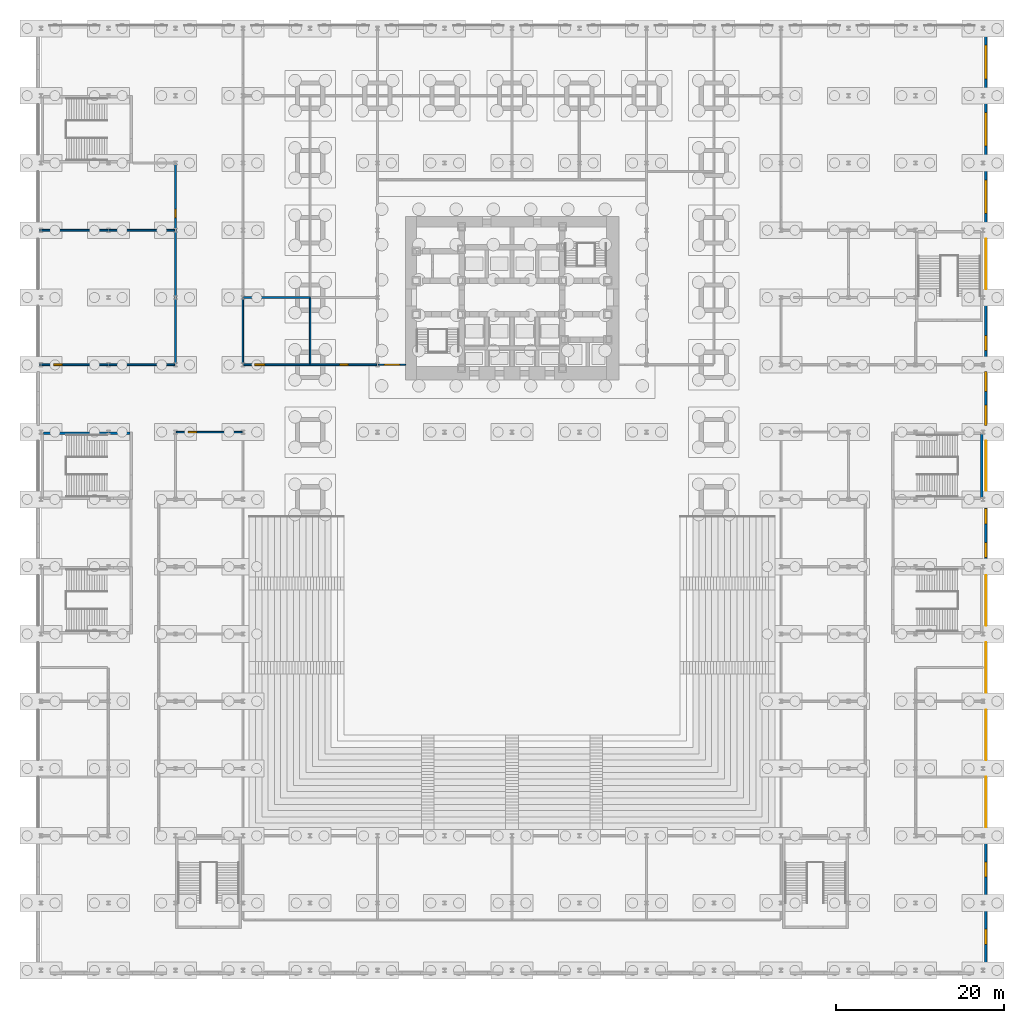
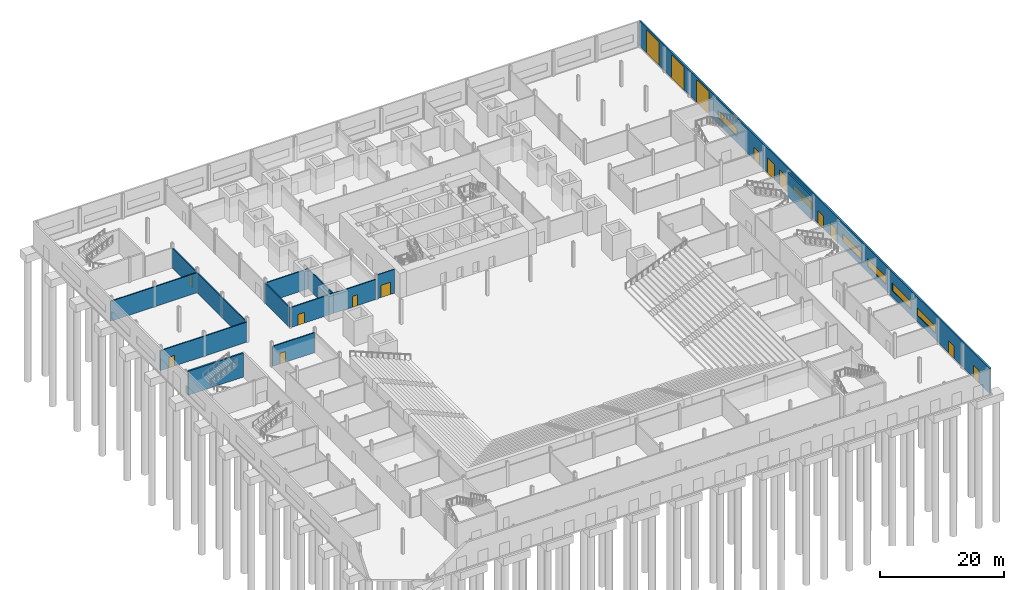
# One storey, part 15 of 24: 16 doors, 13 walls, 6 windows, 22 openings.
"""IFC4 building model written with IfcOpenShell, lengths in metres."""

from ifc_helpers import new_model, si_unit, direction, frame, frame_2d, origin, place, context, subcontext, project, spatial, rectangle, extrude, material, layer, layer_set, type_object, element, fill, save


model = new_model("IFC4")

# Units and contexts
model_context = context("Model", 3, precision=1e-05, world=origin(), true_north=direction((0.0, 1.0)))
body_context = subcontext(model_context, "Body", "Model", "MODEL_VIEW")
ifc_project = project(units=[si_unit("LENGTHUNIT", "METRE"), si_unit("AREAUNIT", "SQUARE_METRE"), si_unit("VOLUMEUNIT", "CUBIC_METRE"), si_unit("PLANEANGLEUNIT", "RADIAN"), si_unit("MASSUNIT", "GRAM", prefix="KILO")], contexts=[model_context])

# Site, building, storey
site_placement = place(None, origin())
site = spatial("IfcSite", under=ifc_project, at=site_placement, CompositionType="ELEMENT")
building_placement = place(site_placement, origin())
building = spatial("IfcBuilding", under=site, at=building_placement, Name="Daluyong Arena Tower", CompositionType="ELEMENT")
storey_placement = place(building_placement, origin())
storey = spatial("IfcBuildingStorey", under=building, at=storey_placement, Name="L00", CompositionType="ELEMENT", Elevation=0.0)

# Wall, opening, door
ifc_material_1 = material(Name="Concrete block partition, fire rated", Category="concrete")
ifc_layer_1 = layer(ifc_material_1, 0.199951171875)
ifc_layer_set_1 = layer_set([ifc_layer_1], Name="Concrete block partition, fire rated")
wall_type_1 = type_object("IfcWallType", Name="Fire-rated partition 200", PredefinedType="PARTITIONING", material=ifc_layer_set_1)
wall_1_placement = place(storey_placement, frame((24.10009765625, 72.0, 0.0), z_axis=(0.0, 0.0, 1.0), x_axis=(1.0, 0.0, 0.0)))
wall_1 = element("IfcWall", 1, at=wall_1_placement, inside=storey, type_object=wall_type_1, Name="fire-rated partition at L00", PredefinedType="PARTITIONING", context=body_context, shape_type="SweptSolid", body=[
    extrude(rectangle(XDim=7.89990234375, YDim=0.199951171875, at=frame_2d((3.949951171875, 0.0))), origin(), (0.0, 0.0, 1.0), 3.927734375),
])
opening_1_placement = place(wall_1_placement, frame((1.300048828125, 0.0, 0.0)))
opening_1 = element("IfcOpeningElement", 2, at=opening_1_placement, cuts=wall_1, Name="Opening 00041", PredefinedType="OPENING", context=body_context, shape_type="SweptSolid", body=[
    extrude(rectangle(XDim=1.199951171875, YDim=2.10009765625, at=frame_2d((0.60009765625, 1.050048828125))), frame((0.0, 0.10986328125, 0.0), z_axis=(0.0, -1.0, 0.0), x_axis=(1.0, 0.0, 0.0)), (0.0, 0.0, 1.0), 0.219970703125),
])
ifc_material_2 = material(Name="Steel door, fire rated", Category="steel")
door_type_1 = type_object("IfcDoorType", Name="Fire command centre door 1200", OperationType="SINGLE_SWING_LEFT", PredefinedType="DOOR", material=ifc_material_2)
door_1_placement = place(opening_1_placement, origin())
door_1 = element("IfcDoor", 3, at=door_1_placement, inside=storey, type_object=door_type_1, Name="fire command centre door 00041", OperationType="SINGLE_SWING_LEFT", OverallHeight=2.10009765625, OverallWidth=1.199951171875, PredefinedType="DOOR", context=body_context, shape_type="SweptSolid", body=[
    extrude(rectangle(XDim=1.199951171875, YDim=2.10009765625, at=frame_2d((0.60009765625, 1.050048828125))), frame((0.0, 0.099609375, 0.0), z_axis=(0.0, -1.0, 0.0), x_axis=(1.0, 0.0, 0.0)), (0.0, 0.0, 1.0), 0.199462890625),
])
fill(opening_1, door_1)

# Walls
for number, where, z_axis, x_axis, name in (
    (4, (24.10009765625, 80.0, 0.0), (0.0, 0.0, 1.0), (1.0, 0.0, 0.0), "fire-rated partition at L00"),
    (5, (24.0, 72.10009765625, 0.0), (0.0, 0.0, 1.0), (0.0, 1.0, 0.0), "fire-rated partition at L00"),
    (6, (32.0, 72.10009765625, 0.0), (0.0, 0.0, 1.0), (0.0, 1.0, 0.0), "fire-rated partition at L00"),
):
    element("IfcWall", number, at=place(storey_placement, frame(where, z_axis=z_axis, x_axis=x_axis)), inside=storey, type_object=wall_type_1, Name=name, PredefinedType="PARTITIONING", context=body_context, shape_type="SweptSolid", body=[
        extrude(rectangle(XDim=7.89990234375, YDim=0.199951171875, at=frame_2d((3.949951171875, 0.0))), origin(), (0.0, 0.0, 1.0), 3.927734375),
    ])

# Wall, opening, door
ifc_material_3 = material(Name="Glazed aluminium partition", Category="aluminium")
ifc_layer_2 = layer(ifc_material_3, 0.14990234375)
ifc_layer_set_2 = layer_set([ifc_layer_2], Name="Glazed aluminium partition")
wall_type_2 = type_object("IfcWallType", Name="Glazed partition 150", PredefinedType="PARTITIONING", material=ifc_layer_set_2)
wall_2_placement = place(storey_placement, frame((40.10009765625, 72.0, 0.0), z_axis=(0.0, 0.0, 1.0), x_axis=(1.0, 0.0, 0.0)))
wall_2 = element("IfcWall", 7, at=wall_2_placement, inside=storey, type_object=wall_type_2, Name="tower lobby entrance screen at L00", PredefinedType="PARTITIONING", context=body_context, shape_type="SweptSolid", body=[
    extrude(rectangle(XDim=3.260009765625, YDim=0.14990234375, at=frame_2d((1.6298828125, 0.0))), origin(), (0.0, 0.0, 1.0), 4.699951171875),
])
opening_2_placement = place(wall_2_placement, frame((0.72998046875, 0.0, 0.0)))
opening_2 = element("IfcOpeningElement", 8, at=opening_2_placement, cuts=wall_2, Name="Opening 00079", PredefinedType="OPENING", context=body_context, shape_type="SweptSolid", body=[
    extrude(rectangle(XDim=1.800048828125, YDim=2.39990234375, at=frame_2d((0.89990234375, 1.199951171875))), frame((0.0, 0.0849609375, 0.0), z_axis=(0.0, -1.0, 0.0), x_axis=(1.0, 0.0, 0.0)), (0.0, 0.0, 1.0), 0.169921875),
])
ifc_material_4 = material(Name="Timber door", Category="wood")
door_type_2 = type_object("IfcDoorType", Name="Assembly double door 1800", OperationType="DOUBLE_DOOR_DOUBLE_SWING", PredefinedType="DOOR", material=ifc_material_4)
door_2_placement = place(opening_2_placement, origin())
door_2 = element("IfcDoor", 9, at=door_2_placement, inside=storey, type_object=door_type_2, Name="tower lobby entrance door 00079", OperationType="DOUBLE_DOOR_DOUBLE_SWING", OverallHeight=2.39990234375, OverallWidth=1.800048828125, PredefinedType="DOOR", context=body_context, shape_type="SweptSolid", body=[
    extrude(rectangle(XDim=1.800048828125, YDim=2.39990234375, at=frame_2d((0.89990234375, 1.199951171875))), frame((0.0, 0.07470703125, 0.0), z_axis=(0.0, -1.0, 0.0), x_axis=(1.0, 0.0, 0.0)), (0.0, 0.0, 1.0), 0.1494140625),
])
fill(opening_2, door_2)

ifc_material_5 = material(Name="Concrete block partition", Category="concrete")
ifc_layer_3 = layer(ifc_material_5, 0.199951171875)
ifc_layer_set_3 = layer_set([ifc_layer_3], Name="Concrete block partition")
wall_type_3 = type_object("IfcWallType", Name="Partition 200", PredefinedType="PARTITIONING", material=ifc_layer_set_3)
wall_3_placement = place(storey_placement, frame((16.10009765625, 64.0, 0.0), z_axis=(0.0, 0.0, 1.0), x_axis=(1.0, 0.0, 0.0)))
wall_3 = element("IfcWall", 10, at=wall_3_placement, inside=storey, type_object=wall_type_3, Name="partition at L00", PredefinedType="PARTITIONING", context=body_context, shape_type="SweptSolid", body=[
    extrude(rectangle(XDim=7.7998046875, YDim=0.199951171875, at=frame_2d((3.89990234375, 0.0))), origin(), (0.0, 0.0, 1.0), 3.927734375),
])
opening_3_placement = place(wall_3_placement, frame((1.39990234375, 0.0, 0.0)))
opening_3 = element("IfcOpeningElement", 11, at=opening_3_placement, cuts=wall_3, Name="Opening 00042", PredefinedType="OPENING", context=body_context, shape_type="SweptSolid", body=[
    extrude(rectangle(XDim=1.0, YDim=2.10009765625, at=frame_2d((0.5, 1.050048828125))), frame((0.0, 0.10986328125, 0.0), z_axis=(0.0, -1.0, 0.0), x_axis=(1.0, 0.0, 0.0)), (0.0, 0.0, 1.0), 0.219970703125),
])
ifc_material_6 = material(Name="Timber door", Category="wood")
door_type_3 = type_object("IfcDoorType", Name="Room door 1000", OperationType="SINGLE_SWING_LEFT", PredefinedType="DOOR", material=ifc_material_6)
door_3_placement = place(opening_3_placement, origin())
door_3 = element("IfcDoor", 12, at=door_3_placement, inside=storey, type_object=door_type_3, Name="ticket office door 00042", OperationType="SINGLE_SWING_LEFT", OverallHeight=2.10009765625, OverallWidth=1.0, PredefinedType="DOOR", context=body_context, shape_type="SweptSolid", body=[
    extrude(rectangle(XDim=1.0, YDim=2.10009765625, at=frame_2d((0.5, 1.050048828125))), frame((0.0, 0.099609375, 0.0), z_axis=(0.0, -1.0, 0.0), x_axis=(1.0, 0.0, 0.0)), (0.0, 0.0, 1.0), 0.199462890625),
])
fill(opening_3, door_3)

wall_4_placement = place(storey_placement, frame((-0.14990234375, 72.0, 0.0), z_axis=(0.0, 0.0, 1.0), x_axis=(1.0, 0.0, 0.0)))
wall_4 = element("IfcWall", 13, at=wall_4_placement, inside=storey, type_object=wall_type_3, Name="partition at L00", PredefinedType="PARTITIONING", context=body_context, shape_type="SweptSolid", body=[
    extrude(rectangle(XDim=16.0498046875, YDim=0.199951171875, at=frame_2d((8.02490234375, 0.0))), origin(), (0.0, 0.0, 1.0), 3.927734375),
])
opening_4_placement = place(wall_4_placement, frame((1.64990234375, 0.0, 0.0)))
opening_4 = element("IfcOpeningElement", 14, at=opening_4_placement, cuts=wall_4, Name="Opening 00043", PredefinedType="OPENING", context=body_context, shape_type="SweptSolid", body=[
    extrude(rectangle(XDim=1.0, YDim=2.10009765625, at=frame_2d((0.5, 1.050048828125))), frame((0.0, 0.10986328125, 0.0), z_axis=(0.0, -1.0, 0.0), x_axis=(1.0, 0.0, 0.0)), (0.0, 0.0, 1.0), 0.219970703125),
])
door_4_placement = place(opening_4_placement, origin())
door_4 = element("IfcDoor", 15, at=door_4_placement, inside=storey, type_object=door_type_3, Name="retail unit door 00043", OperationType="SINGLE_SWING_LEFT", OverallHeight=2.10009765625, OverallWidth=1.0, PredefinedType="DOOR", context=body_context, shape_type="SweptSolid", body=[
    extrude(rectangle(XDim=1.0, YDim=2.10009765625, at=frame_2d((0.5, 1.050048828125))), frame((0.0, 0.099609375, 0.0), z_axis=(0.0, -1.0, 0.0), x_axis=(1.0, 0.0, 0.0)), (0.0, 0.0, 1.0), 0.199462890625),
])
fill(opening_4, door_4)

wall_5_placement = place(storey_placement, frame((32.0, 72.0, 0.0), z_axis=(0.0, 0.0, 1.0), x_axis=(1.0, 0.0, 0.0)))
wall_5 = element("IfcWall", 16, at=wall_5_placement, inside=storey, type_object=wall_type_3, Name="partition at L00", PredefinedType="PARTITIONING", context=body_context, shape_type="SweptSolid", body=[
    extrude(rectangle(XDim=7.89990234375, YDim=0.199951171875, at=frame_2d((3.949951171875, 0.0))), origin(), (0.0, 0.0, 1.0), 3.927734375),
])
opening_5_placement = place(wall_5_placement, frame((3.5, 0.0, 0.0)))
opening_5 = element("IfcOpeningElement", 17, at=opening_5_placement, cuts=wall_5, Name="Opening 00050", PredefinedType="OPENING", context=body_context, shape_type="SweptSolid", body=[
    extrude(rectangle(XDim=1.0, YDim=2.10009765625, at=frame_2d((0.5, 1.050048828125))), frame((0.0, 0.10986328125, 0.0), z_axis=(0.0, -1.0, 0.0), x_axis=(1.0, 0.0, 0.0)), (0.0, 0.0, 1.0), 0.219970703125),
])
door_5_placement = place(opening_5_placement, origin())
door_5 = element("IfcDoor", 18, at=door_5_placement, inside=storey, type_object=door_type_3, Name="arena box office door 00050", OperationType="SINGLE_SWING_LEFT", OverallHeight=2.10009765625, OverallWidth=1.0, PredefinedType="DOOR", context=body_context, shape_type="SweptSolid", body=[
    extrude(rectangle(XDim=1.0, YDim=2.10009765625, at=frame_2d((0.5, 1.050048828125))), frame((0.0, 0.099609375, 0.0), z_axis=(0.0, -1.0, 0.0), x_axis=(1.0, 0.0, 0.0)), (0.0, 0.0, 1.0), 0.199462890625),
])
fill(opening_5, door_5)

# Wall
wall_6_placement = place(storey_placement, frame((-0.14990234375, 88.0, 0.0), z_axis=(0.0, 0.0, 1.0), x_axis=(1.0, 0.0, 0.0)))
element("IfcWall", 19, at=wall_6_placement, inside=storey, type_object=wall_type_3, Name="partition at L00", PredefinedType="PARTITIONING", context=body_context, shape_type="SweptSolid", body=[
    extrude(rectangle(XDim=16.0498046875, YDim=0.199951171875, at=frame_2d((8.02490234375, 0.0))), origin(), (0.0, 0.0, 1.0), 3.927734375),
])

# Wall, opening, door
wall_7_placement = place(storey_placement, frame((16.0, 72.10009765625, 0.0), z_axis=(0.0, 0.0, 1.0), x_axis=(0.0, 1.0, 0.0)))
wall_7 = element("IfcWall", 20, at=wall_7_placement, inside=storey, type_object=wall_type_3, Name="partition at L00", PredefinedType="PARTITIONING", context=body_context, shape_type="SweptSolid", body=[
    extrude(rectangle(XDim=23.7998046875, YDim=0.199951171875, at=frame_2d((11.89990234375, 0.0))), origin(), (0.0, 0.0, 1.0), 3.927734375),
])
opening_6_placement = place(wall_7_placement, frame((17.39990234375, 0.0, 0.0)))
opening_6 = element("IfcOpeningElement", 21, at=opening_6_placement, cuts=wall_7, Name="Opening 00044", PredefinedType="OPENING", context=body_context, shape_type="SweptSolid", body=[
    extrude(rectangle(XDim=1.0, YDim=2.10009765625, at=frame_2d((0.5, 1.050048828125))), frame((0.0, 0.10986328125, 0.0), z_axis=(0.0, -1.0, 0.0), x_axis=(1.0, 0.0, 0.0)), (0.0, 0.0, 1.0), 0.219970703125),
])
door_6_placement = place(opening_6_placement, origin())
door_6 = element("IfcDoor", 22, at=door_6_placement, inside=storey, type_object=door_type_3, Name="retail unit door 00044", OperationType="SINGLE_SWING_LEFT", OverallHeight=2.10009765625, OverallWidth=1.0, PredefinedType="DOOR", context=body_context, shape_type="SweptSolid", body=[
    extrude(rectangle(XDim=1.0, YDim=2.10009765625, at=frame_2d((0.5, 1.050048828125))), frame((0.0, 0.099609375, 0.0), z_axis=(0.0, -1.0, 0.0), x_axis=(1.0, 0.0, 0.0)), (0.0, 0.0, 1.0), 0.199462890625),
])
fill(opening_6, door_6)

# Wall, openings, doors, windows
ifc_material_7 = material(Name="Precast concrete fc' 45 MPa", Category="concrete")
ifc_layer_4 = layer(ifc_material_7, 0.300048828125)
ifc_layer_set_4 = layer_set([ifc_layer_4], Name="Precast concrete fc' 45 MPa")
wall_type_4 = type_object("IfcWallType", Name="Podium precast base wall 300", PredefinedType="SOLIDWALL", material=ifc_layer_set_4)
wall_8_placement = place(storey_placement, frame((112.35009765625, -0.35009765625, 0.0), z_axis=(0.0, 0.0, 1.0), x_axis=(0.0, 1.0, 0.0)))
wall_8 = element("IfcWall", 23, at=wall_8_placement, inside=storey, type_object=wall_type_4, Name="podium base wall E L00", PredefinedType="SOLIDWALL", context=body_context, shape_type="SweptSolid", body=[
    extrude(rectangle(XDim=112.7001953125, YDim=0.300048828125, at=frame_2d((56.35009765625, 0.0))), origin(), (0.0, 0.0, 1.0), 4.89990234375),
])
opening_7_placement = place(wall_8_placement, frame((3.449951171875, 0.0, 0.0)))
opening_7 = element("IfcOpeningElement", 24, at=opening_7_placement, cuts=wall_8, Name="Opening E29", PredefinedType="OPENING", context=body_context, shape_type="SweptSolid", body=[
    extrude(rectangle(XDim=1.800048828125, YDim=2.39990234375, at=frame_2d((0.89990234375, 1.199951171875))), frame((0.0, 0.159912109375, 0.0), z_axis=(0.0, -1.0, 0.0), x_axis=(1.0, 0.0, 0.0)), (0.0, 0.0, 1.0), 0.320068359375),
])
opening_8_placement = place(wall_8_placement, frame((11.449951171875, 0.0, 0.0)))
opening_8 = element("IfcOpeningElement", 25, at=opening_8_placement, cuts=wall_8, Name="Opening E30", PredefinedType="OPENING", context=body_context, shape_type="SweptSolid", body=[
    extrude(rectangle(XDim=1.800048828125, YDim=2.39990234375, at=frame_2d((0.89990234375, 1.199951171875))), frame((0.0, 0.159912109375, 0.0), z_axis=(0.0, -1.0, 0.0), x_axis=(1.0, 0.0, 0.0)), (0.0, 0.0, 1.0), 0.320068359375),
])
opening_9_placement = place(wall_8_placement, frame((17.35009765625, 0.0, 1.199951171875)))
opening_9 = element("IfcOpeningElement", 26, at=opening_9_placement, cuts=wall_8, Name="Opening W1", PredefinedType="OPENING", context=body_context, shape_type="SweptSolid", body=[
    extrude(rectangle(XDim=6.0, YDim=1.5, at=frame_2d((3.0, 0.75))), frame((0.0, 0.159912109375, 0.0), z_axis=(0.0, -1.0, 0.0), x_axis=(1.0, 0.0, 0.0)), (0.0, 0.0, 1.0), 0.320068359375),
])
opening_10_placement = place(wall_8_placement, frame((25.35009765625, 0.0, 1.199951171875)))
opening_10 = element("IfcOpeningElement", 27, at=opening_10_placement, cuts=wall_8, Name="Opening W1", PredefinedType="OPENING", context=body_context, shape_type="SweptSolid", body=[
    extrude(rectangle(XDim=6.0, YDim=1.5, at=frame_2d((3.0, 0.75))), frame((0.0, 0.159912109375, 0.0), z_axis=(0.0, -1.0, 0.0), x_axis=(1.0, 0.0, 0.0)), (0.0, 0.0, 1.0), 0.320068359375),
])
opening_11_placement = place(wall_8_placement, frame((33.35009765625, 0.0, 1.199951171875)))
opening_11 = element("IfcOpeningElement", 28, at=opening_11_placement, cuts=wall_8, Name="Opening W1", PredefinedType="OPENING", context=body_context, shape_type="SweptSolid", body=[
    extrude(rectangle(XDim=6.0, YDim=1.5, at=frame_2d((3.0, 0.75))), frame((0.0, 0.159912109375, 0.0), z_axis=(0.0, -1.0, 0.0), x_axis=(1.0, 0.0, 0.0)), (0.0, 0.0, 1.0), 0.320068359375),
])
opening_12_placement = place(wall_8_placement, frame((41.35009765625, 0.0, 1.199951171875)))
opening_12 = element("IfcOpeningElement", 29, at=opening_12_placement, cuts=wall_8, Name="Opening W1", PredefinedType="OPENING", context=body_context, shape_type="SweptSolid", body=[
    extrude(rectangle(XDim=6.0, YDim=1.5, at=frame_2d((3.0, 0.75))), frame((0.0, 0.159912109375, 0.0), z_axis=(0.0, -1.0, 0.0), x_axis=(1.0, 0.0, 0.0)), (0.0, 0.0, 1.0), 0.320068359375),
])
opening_13_placement = place(wall_8_placement, frame((49.449951171875, 0.0, 0.0)))
opening_13 = element("IfcOpeningElement", 30, at=opening_13_placement, cuts=wall_8, Name="Opening E31", PredefinedType="OPENING", context=body_context, shape_type="SweptSolid", body=[
    extrude(rectangle(XDim=1.800048828125, YDim=2.39990234375, at=frame_2d((0.89990234375, 1.199951171875))), frame((0.0, 0.159912109375, 0.0), z_axis=(0.0, -1.0, 0.0), x_axis=(1.0, 0.0, 0.0)), (0.0, 0.0, 1.0), 0.320068359375),
])
opening_14_placement = place(wall_8_placement, frame((53.449951171875, 0.0, 0.0)))
opening_14 = element("IfcOpeningElement", 31, at=opening_14_placement, cuts=wall_8, Name="Opening E32", PredefinedType="OPENING", context=body_context, shape_type="SweptSolid", body=[
    extrude(rectangle(XDim=1.800048828125, YDim=2.39990234375, at=frame_2d((0.89990234375, 1.199951171875))), frame((0.0, 0.159912109375, 0.0), z_axis=(0.0, -1.0, 0.0), x_axis=(1.0, 0.0, 0.0)), (0.0, 0.0, 1.0), 0.320068359375),
])
opening_15_placement = place(wall_8_placement, frame((57.35009765625, 0.0, 1.199951171875)))
opening_15 = element("IfcOpeningElement", 32, at=opening_15_placement, cuts=wall_8, Name="Opening W1", PredefinedType="OPENING", context=body_context, shape_type="SweptSolid", body=[
    extrude(rectangle(XDim=6.0, YDim=1.5, at=frame_2d((3.0, 0.75))), frame((0.0, 0.159912109375, 0.0), z_axis=(0.0, -1.0, 0.0), x_axis=(1.0, 0.0, 0.0)), (0.0, 0.0, 1.0), 0.320068359375),
])
opening_16_placement = place(wall_8_placement, frame((65.14990234375, 0.0, 0.0)))
opening_16 = element("IfcOpeningElement", 33, at=opening_16_placement, cuts=wall_8, Name="Opening E33", PredefinedType="OPENING", context=body_context, shape_type="SweptSolid", body=[
    extrude(rectangle(XDim=2.39990234375, YDim=3.0, at=frame_2d((1.199951171875, 1.5))), frame((0.0, 0.159912109375, 0.0), z_axis=(0.0, -1.0, 0.0), x_axis=(1.0, 0.0, 0.0)), (0.0, 0.0, 1.0), 0.320068359375),
])
opening_17_placement = place(wall_8_placement, frame((69.14990234375, 0.0, 0.0)))
opening_17 = element("IfcOpeningElement", 34, at=opening_17_placement, cuts=wall_8, Name="Opening E34", PredefinedType="OPENING", context=body_context, shape_type="SweptSolid", body=[
    extrude(rectangle(XDim=2.39990234375, YDim=3.0, at=frame_2d((1.199951171875, 1.5))), frame((0.0, 0.159912109375, 0.0), z_axis=(0.0, -1.0, 0.0), x_axis=(1.0, 0.0, 0.0)), (0.0, 0.0, 1.0), 0.320068359375),
])
opening_18_placement = place(wall_8_placement, frame((74.050048828125, 0.0, 0.0)))
opening_18 = element("IfcOpeningElement", 35, at=opening_18_placement, cuts=wall_8, Name="Opening E35", PredefinedType="OPENING", context=body_context, shape_type="SweptSolid", body=[
    extrude(rectangle(XDim=1.800048828125, YDim=2.39990234375, at=frame_2d((0.89990234375, 1.199951171875))), frame((0.0, 0.159912109375, 0.0), z_axis=(0.0, -1.0, 0.0), x_axis=(1.0, 0.0, 0.0)), (0.0, 0.0, 1.0), 0.320068359375),
])
opening_19_placement = place(wall_8_placement, frame((81.35009765625, 0.0, 1.199951171875)))
opening_19 = element("IfcOpeningElement", 36, at=opening_19_placement, cuts=wall_8, Name="Opening W1", PredefinedType="OPENING", context=body_context, shape_type="SweptSolid", body=[
    extrude(rectangle(XDim=6.0, YDim=1.5, at=frame_2d((3.0, 0.75))), frame((0.0, 0.159912109375, 0.0), z_axis=(0.0, -1.0, 0.0), x_axis=(1.0, 0.0, 0.0)), (0.0, 0.0, 1.0), 0.320068359375),
])
opening_20_placement = place(wall_8_placement, frame((90.35009765625, 0.0, 0.0)))
opening_20 = element("IfcOpeningElement", 37, at=opening_20_placement, cuts=wall_8, Name="Opening E36", PredefinedType="OPENING", context=body_context, shape_type="SweptSolid", body=[
    extrude(rectangle(XDim=4.0, YDim=4.5, at=frame_2d((2.0, 2.25))), frame((0.0, 0.159912109375, 0.0), z_axis=(0.0, -1.0, 0.0), x_axis=(1.0, 0.0, 0.0)), (0.0, 0.0, 1.0), 0.320068359375),
])
opening_21_placement = place(wall_8_placement, frame((98.35009765625, 0.0, 0.0)))
opening_21 = element("IfcOpeningElement", 38, at=opening_21_placement, cuts=wall_8, Name="Opening E37", PredefinedType="OPENING", context=body_context, shape_type="SweptSolid", body=[
    extrude(rectangle(XDim=4.0, YDim=4.5, at=frame_2d((2.0, 2.25))), frame((0.0, 0.159912109375, 0.0), z_axis=(0.0, -1.0, 0.0), x_axis=(1.0, 0.0, 0.0)), (0.0, 0.0, 1.0), 0.320068359375),
])
opening_22_placement = place(wall_8_placement, frame((106.35009765625, 0.0, 0.0)))
opening_22 = element("IfcOpeningElement", 39, at=opening_22_placement, cuts=wall_8, Name="Opening E38", PredefinedType="OPENING", context=body_context, shape_type="SweptSolid", body=[
    extrude(rectangle(XDim=4.0, YDim=4.5, at=frame_2d((2.0, 2.25))), frame((0.0, 0.159912109375, 0.0), z_axis=(0.0, -1.0, 0.0), x_axis=(1.0, 0.0, 0.0)), (0.0, 0.0, 1.0), 0.320068359375),
])
ifc_material_8 = material(Name="Glazed aluminium door", Category="aluminium")
door_type_4 = type_object("IfcDoorType", Name="Entrance door 2400", OperationType="DOUBLE_DOOR_DOUBLE_SWING", PredefinedType="DOOR", material=ifc_material_8)
door_7_placement = place(opening_16_placement, frame((2.39990234375, 0.0, 0.0), z_axis=(0.0, 0.0, 1.0), x_axis=(-1.0, 0.0, 0.0)))
door_7 = element("IfcDoor", 40, at=door_7_placement, inside=storey, type_object=door_type_4, Name="entrance door E33", OperationType="DOUBLE_DOOR_DOUBLE_SWING", OverallHeight=3.0, OverallWidth=2.39990234375, PredefinedType="DOOR", context=body_context, shape_type="SweptSolid", body=[
    extrude(rectangle(XDim=2.39990234375, YDim=3.0, at=frame_2d((1.199951171875, 1.5))), frame((0.0, 0.14990234375, 0.0), z_axis=(0.0, -1.0, 0.0), x_axis=(1.0, 0.0, 0.0)), (0.0, 0.0, 1.0), 0.299560546875),
])
fill(opening_16, door_7)
door_8_placement = place(opening_17_placement, frame((2.39990234375, 0.0, 0.0), z_axis=(0.0, 0.0, 1.0), x_axis=(-1.0, 0.0, 0.0)))
door_8 = element("IfcDoor", 41, at=door_8_placement, inside=storey, type_object=door_type_4, Name="entrance door E34", OperationType="DOUBLE_DOOR_DOUBLE_SWING", OverallHeight=3.0, OverallWidth=2.39990234375, PredefinedType="DOOR", context=body_context, shape_type="SweptSolid", body=[
    extrude(rectangle(XDim=2.39990234375, YDim=3.0, at=frame_2d((1.199951171875, 1.5))), frame((0.0, 0.14990234375, 0.0), z_axis=(0.0, -1.0, 0.0), x_axis=(1.0, 0.0, 0.0)), (0.0, 0.0, 1.0), 0.299560546875),
])
fill(opening_17, door_8)
ifc_material_9 = material(Name="Steel door", Category="steel")
door_type_5 = type_object("IfcDoorType", Name="Exit door 1800", OperationType="DOUBLE_DOOR_SINGLE_SWING", PredefinedType="DOOR", material=ifc_material_9)
door_9_placement = place(opening_7_placement, frame((1.800048828125, 0.0, 0.0), z_axis=(0.0, 0.0, 1.0), x_axis=(-1.0, 0.0, 0.0)))
door_9 = element("IfcDoor", 42, at=door_9_placement, inside=storey, type_object=door_type_5, Name="exit door E29", OperationType="DOUBLE_DOOR_SINGLE_SWING", OverallHeight=2.39990234375, OverallWidth=1.800048828125, PredefinedType="DOOR", context=body_context, shape_type="SweptSolid", body=[
    extrude(rectangle(XDim=1.800048828125, YDim=2.39990234375, at=frame_2d((0.89990234375, 1.199951171875))), frame((0.0, 0.14990234375, 0.0), z_axis=(0.0, -1.0, 0.0), x_axis=(1.0, 0.0, 0.0)), (0.0, 0.0, 1.0), 0.299560546875),
])
fill(opening_7, door_9)
door_10_placement = place(opening_8_placement, frame((1.800048828125, 0.0, 0.0), z_axis=(0.0, 0.0, 1.0), x_axis=(-1.0, 0.0, 0.0)))
door_10 = element("IfcDoor", 43, at=door_10_placement, inside=storey, type_object=door_type_5, Name="exit door E30", OperationType="DOUBLE_DOOR_SINGLE_SWING", OverallHeight=2.39990234375, OverallWidth=1.800048828125, PredefinedType="DOOR", context=body_context, shape_type="SweptSolid", body=[
    extrude(rectangle(XDim=1.800048828125, YDim=2.39990234375, at=frame_2d((0.89990234375, 1.199951171875))), frame((0.0, 0.14990234375, 0.0), z_axis=(0.0, -1.0, 0.0), x_axis=(1.0, 0.0, 0.0)), (0.0, 0.0, 1.0), 0.299560546875),
])
fill(opening_8, door_10)
door_11_placement = place(opening_13_placement, frame((1.800048828125, 0.0, 0.0), z_axis=(0.0, 0.0, 1.0), x_axis=(-1.0, 0.0, 0.0)))
door_11 = element("IfcDoor", 44, at=door_11_placement, inside=storey, type_object=door_type_5, Name="exit door E31", OperationType="DOUBLE_DOOR_SINGLE_SWING", OverallHeight=2.39990234375, OverallWidth=1.800048828125, PredefinedType="DOOR", context=body_context, shape_type="SweptSolid", body=[
    extrude(rectangle(XDim=1.800048828125, YDim=2.39990234375, at=frame_2d((0.89990234375, 1.199951171875))), frame((0.0, 0.14990234375, 0.0), z_axis=(0.0, -1.0, 0.0), x_axis=(1.0, 0.0, 0.0)), (0.0, 0.0, 1.0), 0.299560546875),
])
fill(opening_13, door_11)
door_12_placement = place(opening_14_placement, frame((1.800048828125, 0.0, 0.0), z_axis=(0.0, 0.0, 1.0), x_axis=(-1.0, 0.0, 0.0)))
door_12 = element("IfcDoor", 45, at=door_12_placement, inside=storey, type_object=door_type_5, Name="exit door E32", OperationType="DOUBLE_DOOR_SINGLE_SWING", OverallHeight=2.39990234375, OverallWidth=1.800048828125, PredefinedType="DOOR", context=body_context, shape_type="SweptSolid", body=[
    extrude(rectangle(XDim=1.800048828125, YDim=2.39990234375, at=frame_2d((0.89990234375, 1.199951171875))), frame((0.0, 0.14990234375, 0.0), z_axis=(0.0, -1.0, 0.0), x_axis=(1.0, 0.0, 0.0)), (0.0, 0.0, 1.0), 0.299560546875),
])
fill(opening_14, door_12)
door_13_placement = place(opening_18_placement, frame((1.800048828125, 0.0, 0.0), z_axis=(0.0, 0.0, 1.0), x_axis=(-1.0, 0.0, 0.0)))
door_13 = element("IfcDoor", 46, at=door_13_placement, inside=storey, type_object=door_type_5, Name="exit door E35", OperationType="DOUBLE_DOOR_SINGLE_SWING", OverallHeight=2.39990234375, OverallWidth=1.800048828125, PredefinedType="DOOR", context=body_context, shape_type="SweptSolid", body=[
    extrude(rectangle(XDim=1.800048828125, YDim=2.39990234375, at=frame_2d((0.89990234375, 1.199951171875))), frame((0.0, 0.14990234375, 0.0), z_axis=(0.0, -1.0, 0.0), x_axis=(1.0, 0.0, 0.0)), (0.0, 0.0, 1.0), 0.299560546875),
])
fill(opening_18, door_13)
ifc_material_10 = material(Name="Bronze aluminium window, tinted glass", Category="aluminium")
window_type = type_object("IfcWindowType", Name="Ribbon window 6000x1500", PartitioningType="TRIPLE_PANEL_HORIZONTAL", PredefinedType="WINDOW", material=ifc_material_10)
window_1_placement = place(opening_9_placement, origin())
window_1 = element("IfcWindow", 47, at=window_1_placement, inside=storey, type_object=window_type, Name="ribbon window E", OverallHeight=1.5, OverallWidth=6.0, PartitioningType="SINGLE_PANEL", PredefinedType="WINDOW", context=body_context, shape_type="SweptSolid", body=[
    extrude(rectangle(XDim=6.0, YDim=1.5, at=frame_2d((3.0, 0.75))), frame((0.0, 0.030029296875, 0.0), z_axis=(0.0, -1.0, 0.0), x_axis=(1.0, 0.0, 0.0)), (0.0, 0.0, 1.0), 0.06005859375),
])
fill(opening_9, window_1)
window_2_placement = place(opening_10_placement, origin())
window_2 = element("IfcWindow", 48, at=window_2_placement, inside=storey, type_object=window_type, Name="ribbon window E", OverallHeight=1.5, OverallWidth=6.0, PartitioningType="SINGLE_PANEL", PredefinedType="WINDOW", context=body_context, shape_type="SweptSolid", body=[
    extrude(rectangle(XDim=6.0, YDim=1.5, at=frame_2d((3.0, 0.75))), frame((0.0, 0.030029296875, 0.0), z_axis=(0.0, -1.0, 0.0), x_axis=(1.0, 0.0, 0.0)), (0.0, 0.0, 1.0), 0.06005859375),
])
fill(opening_10, window_2)
window_3_placement = place(opening_11_placement, origin())
window_3 = element("IfcWindow", 49, at=window_3_placement, inside=storey, type_object=window_type, Name="ribbon window E", OverallHeight=1.5, OverallWidth=6.0, PartitioningType="SINGLE_PANEL", PredefinedType="WINDOW", context=body_context, shape_type="SweptSolid", body=[
    extrude(rectangle(XDim=6.0, YDim=1.5, at=frame_2d((3.0, 0.75))), frame((0.0, 0.030029296875, 0.0), z_axis=(0.0, -1.0, 0.0), x_axis=(1.0, 0.0, 0.0)), (0.0, 0.0, 1.0), 0.06005859375),
])
fill(opening_11, window_3)
window_4_placement = place(opening_12_placement, origin())
window_4 = element("IfcWindow", 50, at=window_4_placement, inside=storey, type_object=window_type, Name="ribbon window E", OverallHeight=1.5, OverallWidth=6.0, PartitioningType="SINGLE_PANEL", PredefinedType="WINDOW", context=body_context, shape_type="SweptSolid", body=[
    extrude(rectangle(XDim=6.0, YDim=1.5, at=frame_2d((3.0, 0.75))), frame((0.0, 0.030029296875, 0.0), z_axis=(0.0, -1.0, 0.0), x_axis=(1.0, 0.0, 0.0)), (0.0, 0.0, 1.0), 0.06005859375),
])
fill(opening_12, window_4)
window_5_placement = place(opening_15_placement, origin())
window_5 = element("IfcWindow", 51, at=window_5_placement, inside=storey, type_object=window_type, Name="ribbon window E", OverallHeight=1.5, OverallWidth=6.0, PartitioningType="SINGLE_PANEL", PredefinedType="WINDOW", context=body_context, shape_type="SweptSolid", body=[
    extrude(rectangle(XDim=6.0, YDim=1.5, at=frame_2d((3.0, 0.75))), frame((0.0, 0.030029296875, 0.0), z_axis=(0.0, -1.0, 0.0), x_axis=(1.0, 0.0, 0.0)), (0.0, 0.0, 1.0), 0.06005859375),
])
fill(opening_15, window_5)
window_6_placement = place(opening_19_placement, origin())
window_6 = element("IfcWindow", 52, at=window_6_placement, inside=storey, type_object=window_type, Name="ribbon window E", OverallHeight=1.5, OverallWidth=6.0, PartitioningType="SINGLE_PANEL", PredefinedType="WINDOW", context=body_context, shape_type="SweptSolid", body=[
    extrude(rectangle(XDim=6.0, YDim=1.5, at=frame_2d((3.0, 0.75))), frame((0.0, 0.030029296875, 0.0), z_axis=(0.0, -1.0, 0.0), x_axis=(1.0, 0.0, 0.0)), (0.0, 0.0, 1.0), 0.06005859375),
])
fill(opening_19, window_6)
ifc_material_11 = material(Name="Steel roller shutter", Category="steel")
door_type_6 = type_object("IfcDoorType", Name="Service roller door 4000", OperationType="ROLLINGUP", PredefinedType="DOOR", material=ifc_material_11)
door_14_placement = place(opening_20_placement, frame((4.0, 0.0, 0.0), z_axis=(0.0, 0.0, 1.0), x_axis=(-1.0, 0.0, 0.0)))
door_14 = element("IfcDoor", 53, at=door_14_placement, inside=storey, type_object=door_type_6, Name="service door E36", OperationType="ROLLINGUP", OverallHeight=4.5, OverallWidth=4.0, PredefinedType="DOOR", context=body_context, shape_type="SweptSolid", body=[
    extrude(rectangle(XDim=4.0, YDim=4.5, at=frame_2d((2.0, 2.25))), frame((0.0, 0.14990234375, 0.0), z_axis=(0.0, -1.0, 0.0), x_axis=(1.0, 0.0, 0.0)), (0.0, 0.0, 1.0), 0.299560546875),
])
fill(opening_20, door_14)
door_15_placement = place(opening_21_placement, frame((4.0, 0.0, 0.0), z_axis=(0.0, 0.0, 1.0), x_axis=(-1.0, 0.0, 0.0)))
door_15 = element("IfcDoor", 54, at=door_15_placement, inside=storey, type_object=door_type_6, Name="service door E37", OperationType="ROLLINGUP", OverallHeight=4.5, OverallWidth=4.0, PredefinedType="DOOR", context=body_context, shape_type="SweptSolid", body=[
    extrude(rectangle(XDim=4.0, YDim=4.5, at=frame_2d((2.0, 2.25))), frame((0.0, 0.14990234375, 0.0), z_axis=(0.0, -1.0, 0.0), x_axis=(1.0, 0.0, 0.0)), (0.0, 0.0, 1.0), 0.299560546875),
])
fill(opening_21, door_15)
door_16_placement = place(opening_22_placement, frame((4.0, 0.0, 0.0), z_axis=(0.0, 0.0, 1.0), x_axis=(-1.0, 0.0, 0.0)))
door_16 = element("IfcDoor", 55, at=door_16_placement, inside=storey, type_object=door_type_6, Name="service door E38", OperationType="ROLLINGUP", OverallHeight=4.5, OverallWidth=4.0, PredefinedType="DOOR", context=body_context, shape_type="SweptSolid", body=[
    extrude(rectangle(XDim=4.0, YDim=4.5, at=frame_2d((2.0, 2.25))), frame((0.0, 0.14990234375, 0.0), z_axis=(0.0, -1.0, 0.0), x_axis=(1.0, 0.0, 0.0)), (0.0, 0.0, 1.0), 0.299560546875),
])
fill(opening_22, door_16)

# Walls
ifc_material_12 = material(Name="Concrete fc' 35 MPa", Category="concrete")
ifc_layer_5 = layer(ifc_material_12, 0.300048828125)
ifc_layer_set_5 = layer_set([ifc_layer_5], Name="Concrete fc' 35 MPa")
wall_type_5 = type_object("IfcWallType", Name="Stair enclosure wall 300", PredefinedType="SOLIDWALL", material=ifc_layer_set_5)
wall_9_placement = place(storey_placement, frame((0.300048828125, 63.85009765625, 0.0), z_axis=(0.0, 0.0, 1.0), x_axis=(1.0, 0.0, 0.0)))
element("IfcWall", 56, at=wall_9_placement, inside=storey, type_object=wall_type_5, Name="exit stair PS7 enclosure", PredefinedType="SOLIDWALL", context=body_context, shape_type="SweptSolid", body=[
    extrude(rectangle(XDim=10.25, YDim=0.300048828125, at=frame_2d((5.125, 0.0))), origin(), (0.0, 0.0, 1.0), 4.699951171875),
])
wall_10_placement = place(storey_placement, frame((111.85009765625, 56.227294921875, 0.0), z_axis=(0.0, 0.0, 1.0), x_axis=(0.0, 1.0, 0.0)))
element("IfcWall", 57, at=wall_10_placement, inside=storey, type_object=wall_type_5, Name="exit stair PS8 enclosure", PredefinedType="SOLIDWALL", context=body_context, shape_type="SweptSolid", body=[
    extrude(rectangle(XDim=7.54541015625, YDim=0.300048828125, at=frame_2d((3.772705078125, 0.0))), origin(), (0.0, 0.0, 1.0), 4.699951171875),
])

save(model, "model.ifc")
